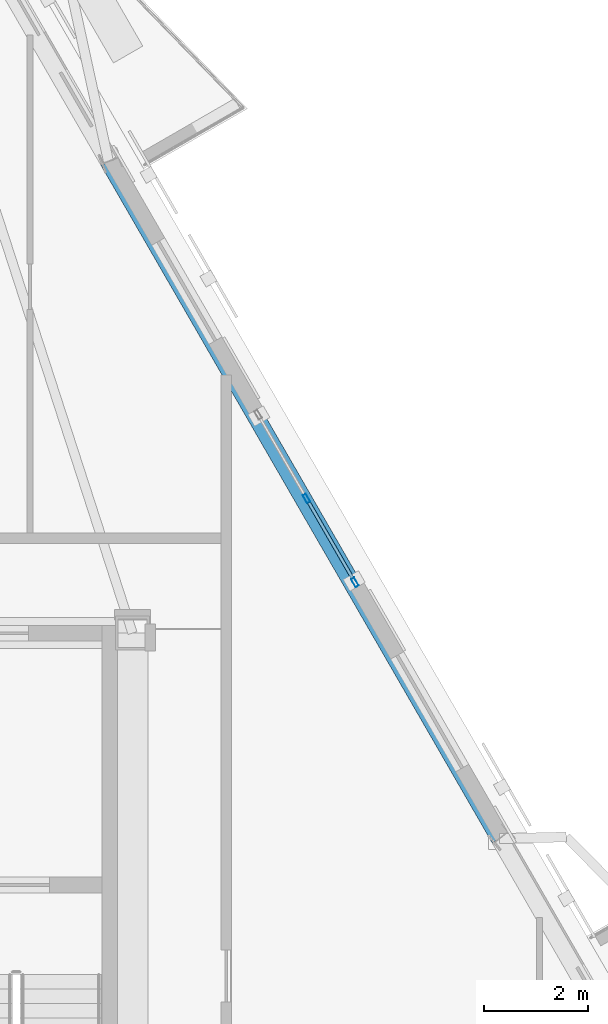
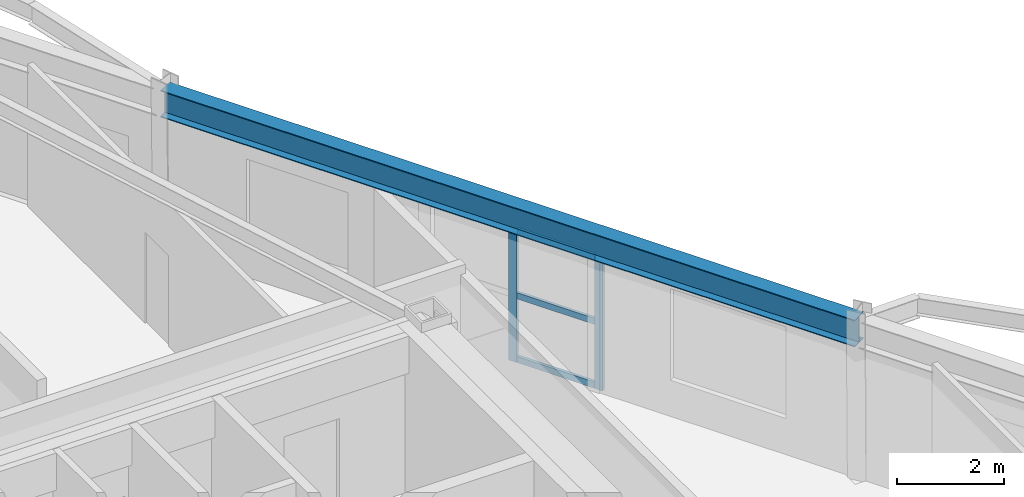
# One storey, part 6 of 15: 5 members, 1 beam, 1 element without a shape of its own.
"""IFC4 building model written with IfcOpenShell, lengths in metres."""

import ifcopenshell
import ifcopenshell.guid

model = None  # the IFC model being written
_history = None  # IfcOwnerHistory: only IFC2X3 demands one
_inside = {}  # id of a spatial element -> (the spatial element, [elements in it])
_under = {}  # id of a project, library or spatial element -> (it, [spatial elements below it])
_declared = {}  # id of a project -> (the project, [libraries it declares])
_typed = {}  # id of a type object -> (the type object, [elements of that type])
_made_of = {}  # id of a material, layer set ... -> (it, [elements and type objects made of it])


def new_model(schema):
    """Start an empty IFC model of exactly this schema.

    Asked for "IFC4X3", IfcOpenShell would pick the latest addendum, in which some entities
    have other attributes; the version numbers below select the first issue.
    IFC2X3 requires an IfcOwnerHistory on every rooted entity: one is made here for all.
    """
    global model, _history
    if schema == "IFC4X3":
        model = ifcopenshell.file(schema_version=(4, 3, 0, 0))
    else:
        model = ifcopenshell.file(schema=schema)
    _inside.clear()
    _under.clear()
    _declared.clear()
    _typed.clear()
    _made_of.clear()
    _history = None
    if model.schema == "IFC2X3":
        org = make("IfcOrganization", Name="unknown")
        user = make(
            "IfcPersonAndOrganization",
            ThePerson=make("IfcPerson", FamilyName="unknown"),
            TheOrganization=org,
        )
        app = make(
            "IfcApplication",
            ApplicationDeveloper=org,
            Version="unknown",
            ApplicationFullName="unknown",
            ApplicationIdentifier="unknown",
        )
        _history = make(
            "IfcOwnerHistory",
            OwningUser=user,
            OwningApplication=app,
            ChangeAction="ADDED",
            CreationDate=0,
        )
    return model


def make(cls, **values):
    """One entity of the class cls with the attributes given. An attribute that is None is left unset."""
    return model.create_entity(
        cls, **{name: value for name, value in values.items() if value is not None}
    )


def rooted(cls, **values):
    """An entity with a GlobalId (a new one), such as an element, a storey or a relation."""
    return make(cls, GlobalId=ifcopenshell.guid.new(), OwnerHistory=_history, **values)


def si_unit(unit_type, name, prefix=None):
    """IfcSIUnit, for example si_unit("LENGTHUNIT", "METRE", prefix="MILLI")."""
    return make("IfcSIUnit", UnitType=unit_type, Prefix=prefix, Name=name)


def assignment(units):
    """IfcUnitAssignment: the units of a project."""
    return None if units is None else make("IfcUnitAssignment", Units=units)


def point(xyz):
    """IfcCartesianPoint."""
    return None if xyz is None else make("IfcCartesianPoint", Coordinates=xyz)


def direction(xyz):
    """IfcDirection."""
    return None if xyz is None else make("IfcDirection", DirectionRatios=xyz)


def frame(location, z_axis=None, x_axis=None):
    """IfcAxis2Placement3D, a coordinate frame: its origin and axes. An axis left out is left unset."""
    return make(
        "IfcAxis2Placement3D",
        Location=point(location),
        Axis=direction(z_axis),
        RefDirection=direction(x_axis),
    )


def frame_2d(location, x_axis=None):
    """IfcAxis2Placement2D, a coordinate frame in the plane: its origin and x axis."""
    return make(
        "IfcAxis2Placement2D", Location=point(location), RefDirection=direction(x_axis)
    )


def origin():
    """The frame at (0, 0, 0) with its axes left unset."""
    return frame((0.0, 0.0, 0.0))


def origin_2d():
    """The frame at (0, 0) in the plane with its x axis left unset."""
    return frame_2d((0.0, 0.0))


def place(relative_to, where):
    """IfcLocalPlacement: puts the frame where relative to a parent placement (None: the world)."""
    return make(
        "IfcLocalPlacement", PlacementRelTo=relative_to, RelativePlacement=where
    )


def context(
    kind, dimensions, precision=None, world=None, true_north=None, identifier=None
):
    """IfcGeometricRepresentationContext, for example the 3D "Model" context."""
    return make(
        "IfcGeometricRepresentationContext",
        ContextIdentifier=identifier,
        ContextType=kind,
        CoordinateSpaceDimension=dimensions,
        Precision=precision,
        WorldCoordinateSystem=world,
        TrueNorth=true_north,
    )


def subcontext(parent, identifier, kind, view, scale=None):
    """IfcGeometricRepresentationSubContext, for example "Body" below "Model"."""
    return make(
        "IfcGeometricRepresentationSubContext",
        ContextIdentifier=identifier,
        ContextType=kind,
        ParentContext=parent,
        TargetScale=scale,
        TargetView=view,
    )


def project(units=None, contexts=None):
    """IfcProject with its units and contexts."""
    return rooted(
        "IfcProject",
        Name="project",
        RepresentationContexts=contexts,
        UnitsInContext=assignment(units),
    )


def spatial(cls, under=None, at=None, **own):
    """A site, building, storey or space (cls), placed at a placement, below another one or the project."""
    s = rooted(cls, ObjectPlacement=at, **own)
    if under is not None:
        _under.setdefault(under.id(), (under, []))[1].append(s)
    return s


def profile(cls, at=None, kind="AREA", **sizes):
    """A parametric profile (cls). Its sizes go by their IFC names, for example OverallWidth=200.0."""
    return make(cls, ProfileType=kind, Position=at, **sizes)


def hollow_rectangle(**sizes):
    """IfcRectangleHollowProfileDef."""
    return profile("IfcRectangleHollowProfileDef", **sizes)


def i_section(**sizes):
    """IfcIShapeProfileDef."""
    return profile("IfcIShapeProfileDef", **sizes)


def extrude(swept, where, along, depth):
    """IfcExtrudedAreaSolid: the profile swept, set in the frame where, extruded along a direction by depth."""
    return make(
        "IfcExtrudedAreaSolid",
        SweptArea=swept,
        Position=where,
        ExtrudedDirection=direction(along),
        Depth=depth,
    )


def shape(context_of_items, identifier, shape_type, items):
    """IfcShapeRepresentation: the items that make up one representation, for example the "Body"."""
    return make(
        "IfcShapeRepresentation",
        ContextOfItems=context_of_items,
        RepresentationIdentifier=identifier,
        RepresentationType=shape_type,
        Items=items,
    )


def material(Name=None, Category=None):
    """IfcMaterial."""
    return make("IfcMaterial", Name=Name, Category=Category)


def layer(
    of_material, thickness, ventilated=None, Name=None, Category=None, Priority=None
):
    """IfcMaterialLayer: one layer of a wall or slab, of a material (None: an air gap)."""
    return make(
        "IfcMaterialLayer",
        Material=of_material,
        LayerThickness=thickness,
        IsVentilated=ventilated,
        Name=Name,
        Category=Category,
        Priority=Priority,
    )


def layer_set(layers, Name=None):
    """IfcMaterialLayerSet."""
    return make("IfcMaterialLayerSet", MaterialLayers=layers, LayerSetName=Name)


def material_profile(
    of_material, cross_section, Name=None, Category=None, Priority=None
):
    """IfcMaterialProfile: a cross section and its material."""
    return make(
        "IfcMaterialProfile",
        Name=Name,
        Material=of_material,
        Profile=cross_section,
        Priority=Priority,
        Category=Category,
    )


def profile_set(profiles, Name=None, composite=None):
    """IfcMaterialProfileSet."""
    return make(
        "IfcMaterialProfileSet",
        Name=Name,
        MaterialProfiles=profiles,
        CompositeProfile=composite,
    )


def made_of(thing, what):
    """Note that an element or type object is made of a material, layer set ...; save() writes the relation."""
    if what is not None:
        _made_of.setdefault(what.id(), (what, []))[1].append(thing)
    return thing


def type_object(cls, material=None, **own):
    """A type object (cls), such as IfcWallType, which elements share."""
    return made_of(rooted(cls, **own), material)


def element(
    cls,
    number,
    at=None,
    inside=None,
    cuts=None,
    type_object=None,
    material=None,
    context=None,
    identifier="Body",
    shape_type=None,
    held_by="IfcProductDefinitionShape",
    body=None,
    shapes=None,
    **own,
):
    """One element of the class cls, such as IfcWall. Its Tag is "e" and its number.

    at: its placement. inside: the storey or other place that contains it. cuts: it is an
    opening in that element (IfcRelVoidsElement). A single representation is given by context,
    identifier, shape_type and body (its items); several are given by shapes. held_by: the class
    of the entity that holds the representations. save() writes the other relations.
    """
    e = rooted(cls, Tag="e%d" % number, ObjectPlacement=at, **own)
    if body is not None:
        shapes = [shape(context, identifier, shape_type, body)]
    if shapes is not None:
        e.Representation = make(held_by, Representations=shapes)
    if inside is not None:
        _inside.setdefault(inside.id(), (inside, []))[1].append(e)
    if cuts is not None:
        rooted(
            "IfcRelVoidsElement", RelatingBuildingElement=cuts, RelatedOpeningElement=e
        )
    if type_object is not None:
        _typed.setdefault(type_object.id(), (type_object, []))[1].append(e)
    return made_of(e, material)


def aggregate(whole, parts):
    """IfcRelAggregates: a whole, such as a stair, and the parts it consists of."""
    return rooted("IfcRelAggregates", RelatingObject=whole, RelatedObjects=parts)


def save(model, path):
    """Write the relations noted so far, then the file.

    IfcRelAggregates (storeys below a building ...), IfcRelContainedInSpatialStructure (elements
    in a storey), IfcRelDefinesByType, IfcRelAssociatesMaterial and IfcRelDeclares: one each for
    every whole, place, type object, material and project.
    """
    for whole, parts in _under.values():
        aggregate(whole, parts)
    for where, things in _inside.values():
        rooted(
            "IfcRelContainedInSpatialStructure",
            RelatedElements=things,
            RelatingStructure=where,
        )
    for kind, things in _typed.values():
        rooted("IfcRelDefinesByType", RelatedObjects=things, RelatingType=kind)
    for what, things in _made_of.values():
        rooted("IfcRelAssociatesMaterial", RelatedObjects=things, RelatingMaterial=what)
    for by, libraries in _declared.values():
        rooted("IfcRelDeclares", RelatingContext=by, RelatedDefinitions=libraries)
    model.write(path)


model = new_model("IFC4")

# Units and contexts
model_context = context("Model", 3, precision=1e-05, world=origin(), true_north=direction((0.0, 1.0)))
body_context = subcontext(model_context, "Body", "Model", "MODEL_VIEW")
ifc_project = project(units=[si_unit("LENGTHUNIT", "METRE"), si_unit("AREAUNIT", "SQUARE_METRE"), si_unit("VOLUMEUNIT", "CUBIC_METRE"), si_unit("PLANEANGLEUNIT", "RADIAN"), si_unit("MASSUNIT", "GRAM", prefix="KILO")], contexts=[model_context])

# Site, building, storey
site_placement = place(None, origin())
site = spatial("IfcSite", under=ifc_project, at=site_placement, CompositionType="ELEMENT")
building_placement = place(site_placement, origin())
building = spatial("IfcBuilding", under=site, at=building_placement, Name="Oramaril Tower", CompositionType="ELEMENT")
storey_placement = place(building_placement, frame((0.0, 0.0, 288.89990234375)))
storey = spatial("IfcBuildingStorey", under=building, at=storey_placement, Name="L76", CompositionType="ELEMENT", Elevation=288.89990234375)

# Beam
ifc_material_1 = material(Name="Steel ASTM A572 Gr 50", Category="steel")
ifc_material_profile_1 = material_profile(ifc_material_1, i_section(OverallWidth=0.324951171875, OverallDepth=0.612060546875, WebThickness=0.0126953125, FlangeThickness=0.01904296875, at=origin_2d()), Name="W24X104")
ifc_profile_set_1 = profile_set([ifc_material_profile_1], Name="Steel ASTM A572 Gr 50")
beam_type = type_object("IfcBeamType", Name="BT-SP5", PredefinedType="SPANDREL", material=ifc_profile_set_1)
beam_placement = place(storey_placement, frame((52.701904296875, 20.2001953125, 3.3740234375), z_axis=(-0.500000420346, 0.866025161097, 0.0), x_axis=(-0.866025161097, -0.500000420346, 0.0)))
element("IfcBeam", 1, at=beam_placement, inside=storey, type_object=beam_type, Name="L76 Perimeter Spandrel 10", PredefinedType="SPANDREL", context=body_context, shape_type="SweptSolid", body=[
    extrude(i_section(OverallWidth=0.324951171875, OverallDepth=0.612060546875, WebThickness=0.0126953125, FlangeThickness=0.01904296875, at=origin_2d()), origin(), (0.0, 0.0, 1.0), 15.0283203125),
])

# Curtain wall, members
ifc_material_2 = material(Name="Anodised Aluminium 6063-T6", Category="aluminium")
ifc_layer = layer(ifc_material_2, 0.179931640625)
ifc_layer_set = layer_set([ifc_layer], Name="CWT-SYS4")
curtain_wall_type = type_object("IfcCurtainWallType", Name="CWT-SYS4", PredefinedType="NOTDEFINED", material=ifc_layer_set)
curtain_wall_placement = place(storey_placement, origin())
curtain_wall = element("IfcCurtainWall", 2, at=curtain_wall_placement, inside=storey, type_object=curtain_wall_type, Name="L76 Unitised Curtain Wall CW-4", PredefinedType="NOTDEFINED")
ifc_material_3 = material(Name="Anodised Aluminium 6063-T6", Category="aluminium")
ifc_material_profile_2 = material_profile(ifc_material_3, hollow_rectangle(XDim=0.070068359375, YDim=0.179931640625, WallThickness=0.00390625, at=origin_2d()), Name="CWM180X70")
ifc_profile_set_2 = profile_set([ifc_material_profile_2], Name="Anodised Aluminium 6063-T6")
member_type_1 = type_object("IfcMemberType", Name="MT-CWM2", PredefinedType="MULLION", material=ifc_profile_set_2)
member_1_placement = place(storey_placement, frame((49.92431640625, 25.12548828125, 0.0), z_axis=(0.0, 0.0, 1.0), x_axis=(-0.866025463091, -0.499999897278, 0.0)))
member_1 = element("IfcMember", 3, at=member_1_placement, type_object=member_type_1, Name="CW-4 mullion 1", PredefinedType="MULLION", context=body_context, shape_type="SweptSolid", body=[
    extrude(hollow_rectangle(XDim=0.070068359375, YDim=0.179931640625, WallThickness=0.00390625, at=origin_2d()), origin(), (0.0, 0.0, 1.0), 3.05810546875),
])
member_2_placement = place(storey_placement, frame((48.994384765625, 26.736328125, 0.0), z_axis=(0.0, 0.0, 1.0), x_axis=(-0.866025463091, -0.499999897278, 0.0)))
member_2 = element("IfcMember", 4, at=member_2_placement, type_object=member_type_1, Name="CW-4 mullion 2", PredefinedType="MULLION", context=body_context, shape_type="SweptSolid", body=[
    extrude(hollow_rectangle(XDim=0.070068359375, YDim=0.179931640625, WallThickness=0.00390625, at=origin_2d()), origin(), (0.0, 0.0, 1.0), 3.05810546875),
])
ifc_material_4 = material(Name="Anodised Aluminium 6063-T6", Category="aluminium")
ifc_material_profile_3 = material_profile(ifc_material_4, hollow_rectangle(XDim=0.06494140625, YDim=0.139892578125, WallThickness=0.00390625, at=origin_2d()), Name="CWT140X65")
ifc_profile_set_3 = profile_set([ifc_material_profile_3], Name="Anodised Aluminium 6063-T6")
member_type_2 = type_object("IfcMemberType", Name="MT-CWT2", PredefinedType="USERDEFINED", material=ifc_profile_set_3)
member_3_placement = place(storey_placement, frame((49.87939453125, 25.203369140625, 0.070068359375), z_axis=(-0.499999171277, 0.866025882247, 0.0), x_axis=(-0.866025882247, -0.499999171277, 0.0)))
member_3 = element("IfcMember", 5, at=member_3_placement, type_object=member_type_2, Name="CW-4 transom 1.1", ObjectType="TRANSOM", PredefinedType="USERDEFINED", context=body_context, shape_type="SweptSolid", body=[
    extrude(hollow_rectangle(XDim=0.06494140625, YDim=0.139892578125, WallThickness=0.00390625, at=origin_2d()), origin(), (0.0, 0.0, 1.0), 1.68017578125),
])
member_4_placement = place(storey_placement, frame((49.87939453125, 25.203369140625, 1.529052734375), z_axis=(-0.499999171277, 0.866025882247, 0.0), x_axis=(-0.866025882247, -0.499999171277, 0.0)))
member_4 = element("IfcMember", 6, at=member_4_placement, type_object=member_type_2, Name="CW-4 transom 1.2", ObjectType="TRANSOM", PredefinedType="USERDEFINED", context=body_context, shape_type="SweptSolid", body=[
    extrude(hollow_rectangle(XDim=0.06494140625, YDim=0.139892578125, WallThickness=0.00390625, at=origin_2d()), origin(), (0.0, 0.0, 1.0), 1.68017578125),
])
member_5_placement = place(storey_placement, frame((49.87939453125, 25.203369140625, 2.988037109375), z_axis=(-0.499999171277, 0.866025882247, 0.0), x_axis=(-0.866025882247, -0.499999171277, 0.0)))
member_5 = element("IfcMember", 7, at=member_5_placement, type_object=member_type_2, Name="CW-4 transom 1.3", ObjectType="TRANSOM", PredefinedType="USERDEFINED", context=body_context, shape_type="SweptSolid", body=[
    extrude(hollow_rectangle(XDim=0.06494140625, YDim=0.139892578125, WallThickness=0.00390625, at=origin_2d()), origin(), (0.0, 0.0, 1.0), 1.68017578125),
])
aggregate(curtain_wall, [member_1, member_2, member_3, member_4, member_5])

save(model, "model.ifc")
